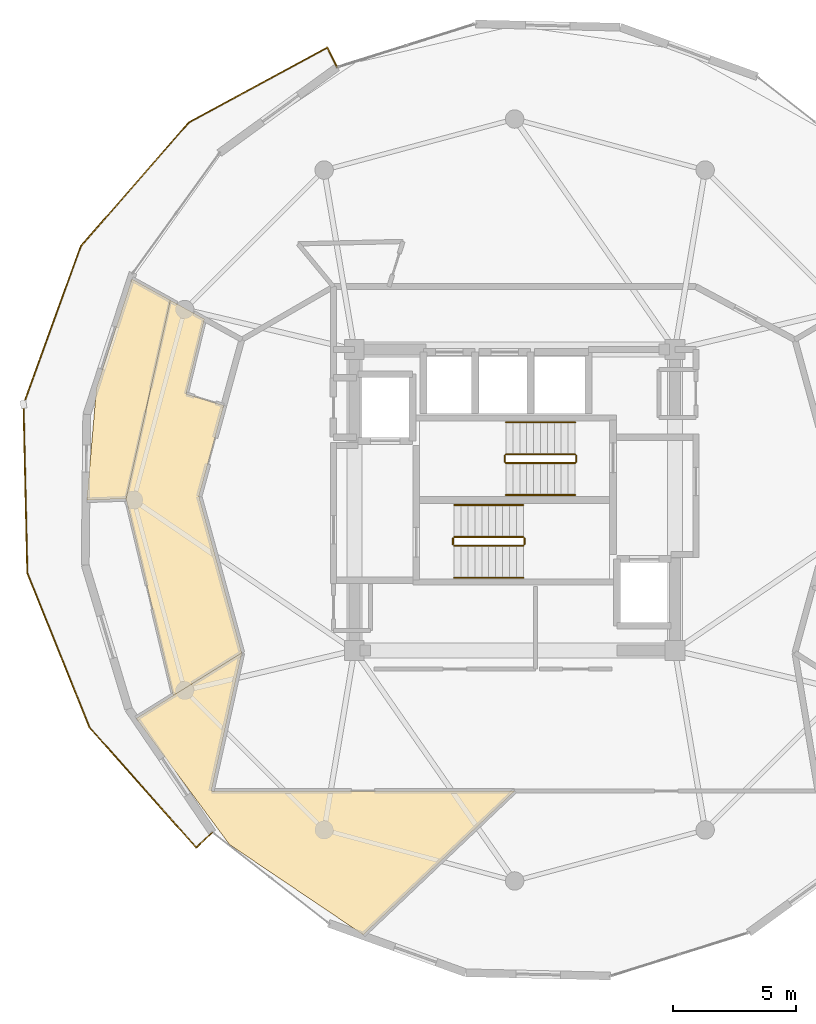
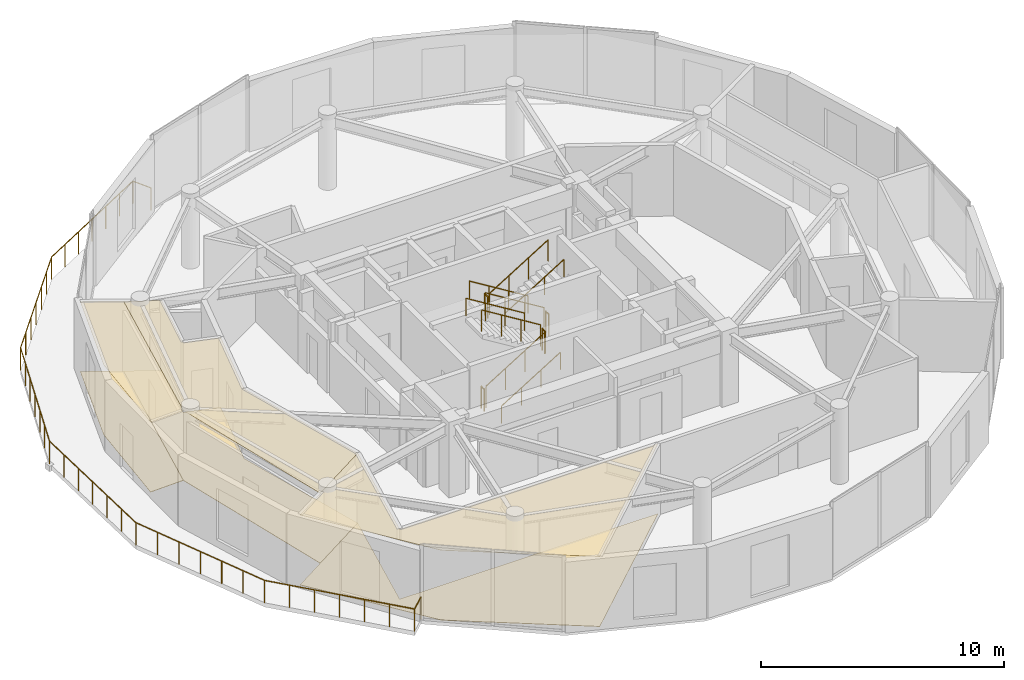
# One storey, part 18 of 19: 13 railings, 6 coverings.
"""IFC4 building model written with IfcOpenShell, lengths in metres."""

from ifc_helpers import new_model, si_unit, direction, frame, origin, origin_2d, place, context, subcontext, project, spatial, polyline, circle, outline, extrude, material, layer, layer_set, type_object, element, save


model = new_model("IFC4")

# Units and contexts
model_context = context("Model", 3, precision=1e-05, world=origin(), true_north=direction((0.0, 1.0)))
body_context = subcontext(model_context, "Body", "Model", "MODEL_VIEW")
ifc_project = project(units=[si_unit("LENGTHUNIT", "METRE"), si_unit("AREAUNIT", "SQUARE_METRE"), si_unit("VOLUMEUNIT", "CUBIC_METRE"), si_unit("PLANEANGLEUNIT", "RADIAN"), si_unit("MASSUNIT", "GRAM", prefix="KILO")], contexts=[model_context])

# Site, building, storey
site_placement = place(None, origin())
site = spatial("IfcSite", under=ifc_project, at=site_placement, CompositionType="ELEMENT")
building_placement = place(site_placement, origin())
building = spatial("IfcBuilding", under=site, at=building_placement, Name="Solvirekh Grand Hotel", CompositionType="ELEMENT")
storey_placement = place(building_placement, frame((0.0, 0.0, 254.39990234375)))
storey = spatial("IfcBuildingStorey", under=building, at=storey_placement, Name="L66", CompositionType="ELEMENT", Elevation=254.39990234375)

# Coverings
ifc_material_1 = material(Name="Acoustic Mineral Ceiling Tile")
ifc_layer_1 = layer(ifc_material_1, 0.02490234375)
ifc_layer_set_1 = layer_set([ifc_layer_1], Name="Acoustic Mineral Ceiling Tile")
covering_type_1 = type_object("IfcCoveringType", Name="Cov_Ceiling_Acoustic", PredefinedType="CEILING", material=ifc_layer_set_1)
covering_1_placement = place(storey_placement, frame((0.0, 0.0, 3.52001953125)))
element("IfcCovering", 1, at=covering_1_placement, inside=storey, type_object=covering_type_1, Name="L66 Executive Suite 6802 Living Room acoustic ceiling", PredefinedType="CEILING", context=body_context, shape_type="SweptSolid", body=[
    extrude(outline(polyline([(-13.322021484375, 4.297119140625), (-12.580078125, 7.3369140625), (-13.9619140625, 8.10009765625), (-15.756103515625, 0.052001953125), (-13.847900390625, -7.928955078125), (-11.06494140625, -6.199951171875), (-12.800048828125, 0.14990234375), (-11.7939453125, 3.8330078125), (-13.322021484375, 4.297119140625)])), origin(), (0.0, 0.0, 1.0), 0.01806640625),
])
covering_2_placement = place(storey_placement, frame((0.0, 0.0, 3.52001953125)))
element("IfcCovering", 2, at=covering_2_placement, inside=storey, type_object=covering_type_1, Name="L66 Executive Suite 6802 Master Bedroom acoustic ceiling", PredefinedType="CEILING", context=body_context, shape_type="SweptSolid", body=[
    extrude(outline(polyline([(-15.52197265625, 8.9609375), (-16.9580078125, 4.5439453125), (-17.346923828125, 0.0), (-15.756103515625, 0.052001953125), (-13.9619140625, 8.10009765625), (-15.52197265625, 8.9609375)])), origin(), (0.0, 0.0, 1.0), 0.01806640625),
])
covering_3_placement = place(storey_placement, frame((0.0, 0.0, 3.52001953125)))
element("IfcCovering", 3, at=covering_3_placement, inside=storey, type_object=covering_type_1, Name="L66 L66 Cloud View Resident Lounge acoustic ceiling", PredefinedType="CEILING", context=body_context, shape_type="SweptSolid", body=[
    extrude(outline(polyline([(-15.345947265625, -8.860107421875), (-11.56103515625, -13.97412109375), (-6.139892578125, -17.632080078125), (0.0, -11.800048828125), (-12.300048828125, -11.800048828125), (-11.06494140625, -6.199951171875), (-15.345947265625, -8.860107421875)])), origin(), (0.0, 0.0, 1.0), 0.01806640625),
])
ifc_material_2 = material(Name="Porcelain Stoneware Flooring", Category="masonry")
ifc_layer_2 = layer(ifc_material_2, 0.030029296875)
ifc_layer_set_2 = layer_set([ifc_layer_2], Name="Porcelain Stoneware Flooring")
covering_type_2 = type_object("IfcCoveringType", Name="Cov_Floor_Stone", PredefinedType="FLOORING", material=ifc_layer_set_2)
covering_4_placement = place(storey_placement, origin())
element("IfcCovering", 4, at=covering_4_placement, inside=storey, type_object=covering_type_2, Name="L66 Executive Suite 6802 Living Room polished granite flooring", PredefinedType="FLOORING", context=body_context, shape_type="SweptSolid", body=[
    extrude(outline(polyline([(-13.322021484375, 4.297119140625), (-12.580078125, 7.3369140625), (-13.9619140625, 8.10009765625), (-15.756103515625, 0.052001953125), (-13.847900390625, -7.928955078125), (-11.06494140625, -6.199951171875), (-12.800048828125, 0.14990234375), (-11.7939453125, 3.8330078125), (-13.322021484375, 4.297119140625)])), origin(), (0.0, 0.0, 1.0), 0.02001953125),
])
covering_5_placement = place(storey_placement, origin())
element("IfcCovering", 5, at=covering_5_placement, inside=storey, type_object=covering_type_2, Name="L66 Executive Suite 6802 Master Bedroom polished granite flooring", PredefinedType="FLOORING", context=body_context, shape_type="SweptSolid", body=[
    extrude(outline(polyline([(-15.52197265625, 8.9609375), (-16.9580078125, 4.5439453125), (-17.346923828125, 0.0), (-15.756103515625, 0.052001953125), (-13.9619140625, 8.10009765625), (-15.52197265625, 8.9609375)])), origin(), (0.0, 0.0, 1.0), 0.02001953125),
])
covering_6_placement = place(storey_placement, origin())
element("IfcCovering", 6, at=covering_6_placement, inside=storey, type_object=covering_type_2, Name="L66 L66 Cloud View Resident Lounge polished granite flooring", PredefinedType="FLOORING", context=body_context, shape_type="SweptSolid", body=[
    extrude(outline(polyline([(-15.345947265625, -8.860107421875), (-11.56103515625, -13.97412109375), (-6.139892578125, -17.632080078125), (0.0, -11.800048828125), (-12.300048828125, -11.800048828125), (-11.06494140625, -6.199951171875), (-15.345947265625, -8.860107421875)])), origin(), (0.0, 0.0, 1.0), 0.02001953125),
])

# Railings
ifc_material_3 = material(Name="Anodized Bronze Aluminium 6063-T6", Category="aluminium")
railing_type_1 = type_object("IfcRailingType", Name="Guard_ExtGlass_1150", PredefinedType="BALUSTRADE", material=ifc_material_3)
railing_1_placement = place(storey_placement, frame((-7.193115234375, 17.547119140625, 0.0)))
element("IfcRailing", 7, at=railing_1_placement, inside=storey, type_object=railing_type_1, Name="L66 balc perimeter glass balustrade", PredefinedType="BALUSTRADE", context=body_context, shape_type="SweptSolid", body=[
    extrude(circle(Radius=0.02392578125, at=origin_2d()), frame((0.0, 0.0, 1.1259765625), z_axis=(-0.449707214743, 0.893176030247, 0.0), x_axis=(-0.893176030247, -0.449707214743, 0.0)), (0.0, 0.0, 1.0), 0.900146484375),
    extrude(circle(Radius=0.02392578125, at=origin_2d()), frame((-0.40478515625, 0.803955078125, 1.1259765625), z_axis=(-0.879172022643, -0.476504516875, 0.0), x_axis=(0.476504516875, -0.879172022643, 0.0)), (0.0, 0.0, 1.0), 6.394775390625),
    extrude(circle(Radius=0.02392578125, at=origin_2d()), frame((-6.02685546875, -2.2431640625, 1.1259765625), z_axis=(-0.657405532311, -0.753536970617, 0.0), x_axis=(0.753536970617, -0.657405532311, 0.0)), (0.0, 0.0, 1.0), 6.656494140625),
    extrude(circle(Radius=0.02392578125, at=origin_2d()), frame((-10.40283203125, -7.259033203125, 1.1259765625), z_axis=(-0.340584091773, -0.940214058835, 0.0), x_axis=(0.940214058835, -0.340584091773, 0.0)), (0.0, 0.0, 1.0), 6.81787109375),
    extrude(circle(Radius=0.02392578125, at=origin_2d()), frame((-12.724853515625, -13.669189453125, 1.1259765625), z_axis=(0.022636380472, -0.999743764311, 0.0), x_axis=(0.999743764311, 0.022636380472, 0.0)), (0.0, 0.0, 1.0), 6.8486328125),
    extrude(circle(Radius=0.02392578125, at=origin_2d()), frame((-12.56982421875, -20.51611328125, 1.1259765625), z_axis=(0.374184750681, -0.927354178487, 0.0), x_axis=(0.927354178487, 0.374184750681, 0.0)), (0.0, 0.0, 1.0), 6.7451171875),
    extrude(circle(Radius=0.02392578125, at=origin_2d()), frame((-10.0458984375, -26.771240234375, 1.1259765625), z_axis=(0.663951885851, -0.747775295978, 0.0), x_axis=(0.747775295978, 0.663951885851, 0.0)), (0.0, 0.0, 1.0), 6.512451171875),
    extrude(circle(Radius=0.02392578125, at=origin_2d()), frame((-5.721923828125, -31.64111328125, 1.1259765625), z_axis=(0.731100372631, 0.682269921027, 0.0), x_axis=(-0.682269921027, 0.731100372631, 0.0)), (0.0, 0.0, 1.0), 0.89990234375),
    extrude(circle(Radius=0.02099609375, at=origin_2d()), origin(), (0.0, 0.0, 1.0), 1.101806640625),
    extrude(circle(Radius=0.02099609375, at=origin_2d()), frame((-0.40478515625, 0.803955078125, 0.0)), (0.0, 0.0, 1.0), 1.101806640625),
    extrude(circle(Radius=0.02099609375, at=origin_2d()), frame((-1.341796875, 0.296142578125, 0.0)), (0.0, 0.0, 1.0), 1.101806640625),
    extrude(circle(Radius=0.02099609375, at=origin_2d()), frame((-2.27880859375, -0.211669921875, 0.0)), (0.0, 0.0, 1.0), 1.101806640625),
    extrude(circle(Radius=0.02099609375, at=origin_2d()), frame((-3.2158203125, -0.7197265625, 0.0)), (0.0, 0.0, 1.0), 1.101806640625),
    extrude(circle(Radius=0.02099609375, at=origin_2d()), frame((-4.15283203125, -1.2275390625, 0.0)), (0.0, 0.0, 1.0), 1.101806640625),
    extrude(circle(Radius=0.02099609375, at=origin_2d()), frame((-5.08984375, -1.7353515625, 0.0)), (0.0, 0.0, 1.0), 1.101806640625),
    extrude(circle(Radius=0.02099609375, at=origin_2d()), frame((-6.02685546875, -2.2431640625, 0.0)), (0.0, 0.0, 1.0), 1.101806640625),
    extrude(circle(Radius=0.02099609375, at=origin_2d()), frame((-6.756103515625, -3.0791015625, 0.0)), (0.0, 0.0, 1.0), 1.101806640625),
    extrude(circle(Radius=0.02099609375, at=origin_2d()), frame((-7.485595703125, -3.9150390625, 0.0)), (0.0, 0.0, 1.0), 1.101806640625),
    extrude(circle(Radius=0.02099609375, at=origin_2d()), frame((-8.21484375, -4.7509765625, 0.0)), (0.0, 0.0, 1.0), 1.101806640625),
    extrude(circle(Radius=0.02099609375, at=origin_2d()), frame((-8.944091796875, -5.587158203125, 0.0)), (0.0, 0.0, 1.0), 1.101806640625),
    extrude(circle(Radius=0.02099609375, at=origin_2d()), frame((-9.673583984375, -6.423095703125, 0.0)), (0.0, 0.0, 1.0), 1.101806640625),
    extrude(circle(Radius=0.02099609375, at=origin_2d()), frame((-10.40283203125, -7.259033203125, 0.0)), (0.0, 0.0, 1.0), 1.101806640625),
    extrude(circle(Radius=0.02099609375, at=origin_2d()), frame((-10.789794921875, -8.327392578125, 0.0)), (0.0, 0.0, 1.0), 1.101806640625),
    extrude(circle(Radius=0.02099609375, at=origin_2d()), frame((-11.1767578125, -9.395751953125, 0.0)), (0.0, 0.0, 1.0), 1.101806640625),
    extrude(circle(Radius=0.02099609375, at=origin_2d()), frame((-11.56396484375, -10.464111328125, 0.0)), (0.0, 0.0, 1.0), 1.101806640625),
    extrude(circle(Radius=0.02099609375, at=origin_2d()), frame((-11.950927734375, -11.532470703125, 0.0)), (0.0, 0.0, 1.0), 1.101806640625),
    extrude(circle(Radius=0.02099609375, at=origin_2d()), frame((-12.337890625, -12.600830078125, 0.0)), (0.0, 0.0, 1.0), 1.101806640625),
    extrude(circle(Radius=0.02099609375, at=origin_2d()), frame((-12.724853515625, -13.669189453125, 0.0)), (0.0, 0.0, 1.0), 1.101806640625),
    extrude(circle(Radius=0.02099609375, at=origin_2d()), frame((-12.698974609375, -14.810302734375, 0.0)), (0.0, 0.0, 1.0), 1.101806640625),
    extrude(circle(Radius=0.02099609375, at=origin_2d()), frame((-12.673095703125, -15.951416015625, 0.0)), (0.0, 0.0, 1.0), 1.101806640625),
    extrude(circle(Radius=0.02099609375, at=origin_2d()), frame((-12.6474609375, -17.0927734375, 0.0)), (0.0, 0.0, 1.0), 1.101806640625),
    extrude(circle(Radius=0.02099609375, at=origin_2d()), frame((-12.62158203125, -18.23388671875, 0.0)), (0.0, 0.0, 1.0), 1.101806640625),
    extrude(circle(Radius=0.02099609375, at=origin_2d()), frame((-12.595703125, -19.375, 0.0)), (0.0, 0.0, 1.0), 1.101806640625),
    extrude(circle(Radius=0.02099609375, at=origin_2d()), frame((-12.56982421875, -20.51611328125, 0.0)), (0.0, 0.0, 1.0), 1.101806640625),
    extrude(circle(Radius=0.02099609375, at=origin_2d()), frame((-12.149169921875, -21.55859375, 0.0)), (0.0, 0.0, 1.0), 1.101806640625),
    extrude(circle(Radius=0.02099609375, at=origin_2d()), frame((-11.728515625, -22.60107421875, 0.0)), (0.0, 0.0, 1.0), 1.101806640625),
    extrude(circle(Radius=0.02099609375, at=origin_2d()), frame((-11.307861328125, -23.6435546875, 0.0)), (0.0, 0.0, 1.0), 1.101806640625),
    extrude(circle(Radius=0.02099609375, at=origin_2d()), frame((-10.88720703125, -24.686279296875, 0.0)), (0.0, 0.0, 1.0), 1.101806640625),
    extrude(circle(Radius=0.02099609375, at=origin_2d()), frame((-10.466552734375, -25.728759765625, 0.0)), (0.0, 0.0, 1.0), 1.101806640625),
    extrude(circle(Radius=0.02099609375, at=origin_2d()), frame((-10.0458984375, -26.771240234375, 0.0)), (0.0, 0.0, 1.0), 1.101806640625),
    extrude(circle(Radius=0.02099609375, at=origin_2d()), frame((-9.3251953125, -27.5830078125, 0.0)), (0.0, 0.0, 1.0), 1.101806640625),
    extrude(circle(Radius=0.02099609375, at=origin_2d()), frame((-8.6044921875, -28.39453125, 0.0)), (0.0, 0.0, 1.0), 1.101806640625),
    extrude(circle(Radius=0.02099609375, at=origin_2d()), frame((-7.8837890625, -29.2060546875, 0.0)), (0.0, 0.0, 1.0), 1.101806640625),
    extrude(circle(Radius=0.02099609375, at=origin_2d()), frame((-7.163330078125, -30.017822265625, 0.0)), (0.0, 0.0, 1.0), 1.101806640625),
    extrude(circle(Radius=0.02099609375, at=origin_2d()), frame((-6.442626953125, -30.82958984375, 0.0)), (0.0, 0.0, 1.0), 1.101806640625),
    extrude(circle(Radius=0.02099609375, at=origin_2d()), frame((-5.721923828125, -31.64111328125, 0.0)), (0.0, 0.0, 1.0), 1.101806640625),
    extrude(circle(Radius=0.02099609375, at=origin_2d()), frame((-5.06396484375, -31.027099609375, 0.0)), (0.0, 0.0, 1.0), 1.101806640625),
])
ifc_material_4 = material(Name="Steel S355", Category="steel")
railing_type_2 = type_object("IfcRailingType", Name="Guard_Stair_1100", PredefinedType="GUARDRAIL", material=ifc_material_4)
railing_2_placement = place(storey_placement, frame((-2.449951171875, -1.85009765625, 0.1728515625)))
element("IfcRailing", 8, at=railing_2_placement, inside=storey, type_object=railing_type_2, Name="L66 ST-1 stair guard 1", PredefinedType="GUARDRAIL", context=body_context, shape_type="SweptSolid", body=[
    extrude(circle(Radius=0.02392578125, at=origin_2d()), frame((0.0, 0.0, 1.076171875), z_axis=(0.851089632645, 0.0, 0.525020415988), x_axis=(0.0, 1.0, 0.0)), (0.0, 0.0, 1.0), 3.2900390625),
    extrude(circle(Radius=0.02099609375, at=origin_2d()), origin(), (0.0, 0.0, 1.0), 1.052001953125),
    extrude(circle(Radius=0.02099609375, at=origin_2d()), frame((0.933349609375, 0.0, 0.57568359375)), (0.0, 0.0, 1.0), 1.052001953125),
    extrude(circle(Radius=0.02099609375, at=origin_2d()), frame((1.86669921875, 0.0, 1.151611328125)), (0.0, 0.0, 1.0), 1.052001953125),
    extrude(circle(Radius=0.02099609375, at=origin_2d()), frame((2.800048828125, 0.0, 1.727294921875)), (0.0, 0.0, 1.0), 1.052001953125),
])
railing_3_placement = place(storey_placement, frame((0.39990234375, -1.800048828125, 1.900146484375)))
element("IfcRailing", 9, at=railing_3_placement, inside=storey, type_object=railing_type_2, Name="L66 ST-1 stair guard 2", PredefinedType="GUARDRAIL", context=body_context, shape_type="SweptSolid", body=[
    extrude(circle(Radius=0.02392578125, at=origin_2d()), frame((0.0, 0.0, 1.076171875), z_axis=(0.0, 1.0, 0.0), x_axis=(-1.0, 0.0, 0.0)), (0.0, 0.0, 1.0), 0.25),
    extrude(circle(Radius=0.02099609375, at=origin_2d()), origin(), (0.0, 0.0, 1.0), 1.052001953125),
    extrude(circle(Radius=0.02099609375, at=origin_2d()), frame((0.0, 0.25, 0.0)), (0.0, 0.0, 1.0), 1.052001953125),
])
railing_4_placement = place(storey_placement, frame((0.35009765625, -1.5, 2.07275390625)))
element("IfcRailing", 10, at=railing_4_placement, inside=storey, type_object=railing_type_2, Name="L66 ST-1 stair guard 3", PredefinedType="GUARDRAIL", context=body_context, shape_type="SweptSolid", body=[
    extrude(circle(Radius=0.02392578125, at=origin_2d()), frame((0.0, 0.0, 1.076171875), z_axis=(-0.851089632645, 0.0, 0.525020415988), x_axis=(0.0, -1.0, 0.0)), (0.0, 0.0, 1.0), 3.2900390625),
    extrude(circle(Radius=0.02099609375, at=origin_2d()), origin(), (0.0, 0.0, 1.0), 1.052001953125),
    extrude(circle(Radius=0.02099609375, at=origin_2d()), frame((-0.933349609375, 0.0, 0.57568359375)), (0.0, 0.0, 1.0), 1.052001953125),
    extrude(circle(Radius=0.02099609375, at=origin_2d()), frame((-1.86669921875, 0.0, 1.151611328125)), (0.0, 0.0, 1.0), 1.052001953125),
    extrude(circle(Radius=0.02099609375, at=origin_2d()), frame((-2.800048828125, 0.0, 1.727294921875)), (0.0, 0.0, 1.0), 1.052001953125),
])
railing_5_placement = place(storey_placement, frame((-2.5, -1.800048828125, 0.0)))
element("IfcRailing", 11, at=railing_5_placement, inside=storey, type_object=railing_type_2, Name="L66 ST-1 stair guard 4", PredefinedType="GUARDRAIL", context=body_context, shape_type="SweptSolid", body=[
    extrude(circle(Radius=0.02392578125, at=origin_2d()), frame((0.0, 0.0, 1.076171875), z_axis=(0.0, 1.0, 0.0), x_axis=(-1.0, 0.0, 0.0)), (0.0, 0.0, 1.0), 0.25),
    extrude(circle(Radius=0.02099609375, at=origin_2d()), origin(), (0.0, 0.0, 1.0), 1.052001953125),
    extrude(circle(Radius=0.02099609375, at=origin_2d()), frame((0.0, 0.25, 0.0)), (0.0, 0.0, 1.0), 1.052001953125),
])
railing_6_placement = place(storey_placement, frame((2.449951171875, 1.85009765625, 0.1728515625)))
element("IfcRailing", 12, at=railing_6_placement, inside=storey, type_object=railing_type_2, Name="L66 ST-2 stair guard 1", PredefinedType="GUARDRAIL", context=body_context, shape_type="SweptSolid", body=[
    extrude(circle(Radius=0.02392578125, at=origin_2d()), frame((0.0, 0.0, 1.076171875), z_axis=(-0.851089632645, 0.0, 0.525020415988), x_axis=(0.0, -1.0, 0.0)), (0.0, 0.0, 1.0), 3.2900390625),
    extrude(circle(Radius=0.02099609375, at=origin_2d()), origin(), (0.0, 0.0, 1.0), 1.052001953125),
    extrude(circle(Radius=0.02099609375, at=origin_2d()), frame((-0.933349609375, 0.0, 0.57568359375)), (0.0, 0.0, 1.0), 1.052001953125),
    extrude(circle(Radius=0.02099609375, at=origin_2d()), frame((-1.86669921875, 0.0, 1.151611328125)), (0.0, 0.0, 1.0), 1.052001953125),
    extrude(circle(Radius=0.02099609375, at=origin_2d()), frame((-2.800048828125, 0.0, 1.727294921875)), (0.0, 0.0, 1.0), 1.052001953125),
])
railing_7_placement = place(storey_placement, frame((-0.39990234375, 1.800048828125, 1.900146484375)))
element("IfcRailing", 13, at=railing_7_placement, inside=storey, type_object=railing_type_2, Name="L66 ST-2 stair guard 2", PredefinedType="GUARDRAIL", context=body_context, shape_type="SweptSolid", body=[
    extrude(circle(Radius=0.02392578125, at=origin_2d()), frame((0.0, 0.0, 1.076171875), z_axis=(0.0, -1.0, 0.0), x_axis=(1.0, 0.0, 0.0)), (0.0, 0.0, 1.0), 0.25),
    extrude(circle(Radius=0.02099609375, at=origin_2d()), origin(), (0.0, 0.0, 1.0), 1.052001953125),
    extrude(circle(Radius=0.02099609375, at=origin_2d()), frame((0.0, -0.25, 0.0)), (0.0, 0.0, 1.0), 1.052001953125),
])
railing_8_placement = place(storey_placement, frame((-0.35009765625, 1.5, 2.07275390625)))
element("IfcRailing", 14, at=railing_8_placement, inside=storey, type_object=railing_type_2, Name="L66 ST-2 stair guard 3", PredefinedType="GUARDRAIL", context=body_context, shape_type="SweptSolid", body=[
    extrude(circle(Radius=0.02392578125, at=origin_2d()), frame((0.0, 0.0, 1.076171875), z_axis=(0.851089632645, 0.0, 0.525020415988), x_axis=(0.0, 1.0, 0.0)), (0.0, 0.0, 1.0), 3.2900390625),
    extrude(circle(Radius=0.02099609375, at=origin_2d()), origin(), (0.0, 0.0, 1.0), 1.052001953125),
    extrude(circle(Radius=0.02099609375, at=origin_2d()), frame((0.933349609375, 0.0, 0.57568359375)), (0.0, 0.0, 1.0), 1.052001953125),
    extrude(circle(Radius=0.02099609375, at=origin_2d()), frame((1.86669921875, 0.0, 1.151611328125)), (0.0, 0.0, 1.0), 1.052001953125),
    extrude(circle(Radius=0.02099609375, at=origin_2d()), frame((2.800048828125, 0.0, 1.727294921875)), (0.0, 0.0, 1.0), 1.052001953125),
])
railing_9_placement = place(storey_placement, frame((2.5, 1.800048828125, 0.0)))
element("IfcRailing", 15, at=railing_9_placement, inside=storey, type_object=railing_type_2, Name="L66 ST-2 stair guard 4", PredefinedType="GUARDRAIL", context=body_context, shape_type="SweptSolid", body=[
    extrude(circle(Radius=0.02392578125, at=origin_2d()), frame((0.0, 0.0, 1.076171875), z_axis=(0.0, -1.0, 0.0), x_axis=(1.0, 0.0, 0.0)), (0.0, 0.0, 1.0), 0.25),
    extrude(circle(Radius=0.02099609375, at=origin_2d()), origin(), (0.0, 0.0, 1.0), 1.052001953125),
    extrude(circle(Radius=0.02099609375, at=origin_2d()), frame((0.0, -0.25, 0.0)), (0.0, 0.0, 1.0), 1.052001953125),
])
railing_type_3 = type_object("IfcRailingType", Name="Handrail_Wall_900", PredefinedType="HANDRAIL", material=ifc_material_3)
railing_10_placement = place(storey_placement, frame((-2.449951171875, -3.14990234375, 0.1728515625)))
element("IfcRailing", 16, at=railing_10_placement, inside=storey, type_object=railing_type_3, Name="L66 ST-1 stair handrail 1", PredefinedType="HANDRAIL", context=body_context, shape_type="SweptSolid", body=[
    extrude(circle(Radius=0.02392578125, at=origin_2d()), frame((0.0, 0.0, 0.8759765625), z_axis=(0.851089632645, 0.0, 0.525020415988), x_axis=(0.0, 1.0, 0.0)), (0.0, 0.0, 1.0), 3.2900390625),
    extrude(circle(Radius=0.02099609375, at=origin_2d()), origin(), (0.0, 0.0, 1.0), 0.851806640625),
    extrude(circle(Radius=0.02099609375, at=origin_2d()), frame((0.933349609375, 0.0, 0.57568359375)), (0.0, 0.0, 1.0), 0.851806640625),
    extrude(circle(Radius=0.02099609375, at=origin_2d()), frame((1.86669921875, 0.0, 1.151611328125)), (0.0, 0.0, 1.0), 0.851806640625),
    extrude(circle(Radius=0.02099609375, at=origin_2d()), frame((2.800048828125, 0.0, 1.727294921875)), (0.0, 0.0, 1.0), 0.851806640625),
])
for number, where, name in (
    (17, (0.35009765625, -0.199951171875, 2.07275390625), "L66 ST-1 stair handrail 2"),
    (18, (2.449951171875, 3.14990234375, 0.1728515625), "L66 ST-2 stair handrail 1"),
):
    element("IfcRailing", number, at=place(storey_placement, frame(where)), inside=storey, type_object=railing_type_3, Name=name, PredefinedType="HANDRAIL", context=body_context, shape_type="SweptSolid", body=[
        extrude(circle(Radius=0.02392578125, at=origin_2d()), frame((0.0, 0.0, 0.8759765625), z_axis=(-0.851089632645, 0.0, 0.525020415988), x_axis=(0.0, -1.0, 0.0)), (0.0, 0.0, 1.0), 3.2900390625),
        extrude(circle(Radius=0.02099609375, at=origin_2d()), origin(), (0.0, 0.0, 1.0), 0.851806640625),
        extrude(circle(Radius=0.02099609375, at=origin_2d()), frame((-0.933349609375, 0.0, 0.57568359375)), (0.0, 0.0, 1.0), 0.851806640625),
        extrude(circle(Radius=0.02099609375, at=origin_2d()), frame((-1.86669921875, 0.0, 1.151611328125)), (0.0, 0.0, 1.0), 0.851806640625),
        extrude(circle(Radius=0.02099609375, at=origin_2d()), frame((-2.800048828125, 0.0, 1.727294921875)), (0.0, 0.0, 1.0), 0.851806640625),
    ])
railing_11_placement = place(storey_placement, frame((-0.35009765625, 0.199951171875, 2.07275390625)))
element("IfcRailing", 19, at=railing_11_placement, inside=storey, type_object=railing_type_3, Name="L66 ST-2 stair handrail 2", PredefinedType="HANDRAIL", context=body_context, shape_type="SweptSolid", body=[
    extrude(circle(Radius=0.02392578125, at=origin_2d()), frame((0.0, 0.0, 0.8759765625), z_axis=(0.851089632645, 0.0, 0.525020415988), x_axis=(0.0, 1.0, 0.0)), (0.0, 0.0, 1.0), 3.2900390625),
    extrude(circle(Radius=0.02099609375, at=origin_2d()), origin(), (0.0, 0.0, 1.0), 0.851806640625),
    extrude(circle(Radius=0.02099609375, at=origin_2d()), frame((0.933349609375, 0.0, 0.57568359375)), (0.0, 0.0, 1.0), 0.851806640625),
    extrude(circle(Radius=0.02099609375, at=origin_2d()), frame((1.86669921875, 0.0, 1.151611328125)), (0.0, 0.0, 1.0), 0.851806640625),
    extrude(circle(Radius=0.02099609375, at=origin_2d()), frame((2.800048828125, 0.0, 1.727294921875)), (0.0, 0.0, 1.0), 0.851806640625),
])

save(model, "model.ifc")
